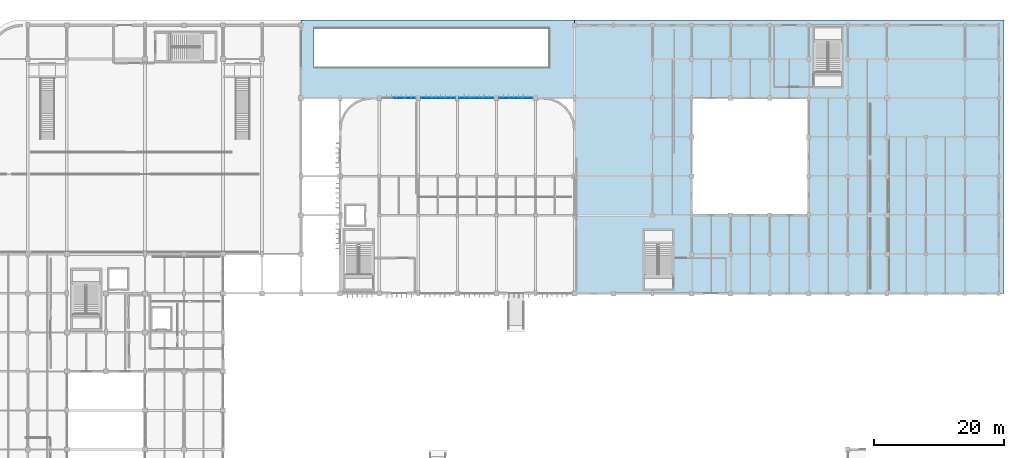
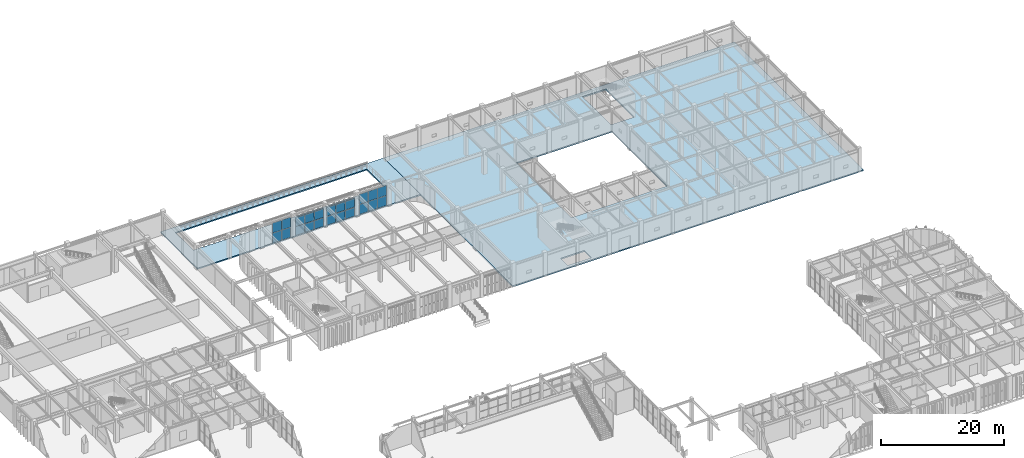
# One storey, part 38 of 76: 22 plates, 2 slabs, 4 elements without a shape of their own.
"""IFC4 building model written with IfcOpenShell, lengths in metres."""

import ifcopenshell
import ifcopenshell.guid

model = None  # the IFC model being written
_history = None  # IfcOwnerHistory: only IFC2X3 demands one
_inside = {}  # id of a spatial element -> (the spatial element, [elements in it])
_under = {}  # id of a project, library or spatial element -> (it, [spatial elements below it])
_declared = {}  # id of a project -> (the project, [libraries it declares])
_typed = {}  # id of a type object -> (the type object, [elements of that type])
_made_of = {}  # id of a material, layer set ... -> (it, [elements and type objects made of it])


def new_model(schema):
    """Start an empty IFC model of exactly this schema.

    Asked for "IFC4X3", IfcOpenShell would pick the latest addendum, in which some entities
    have other attributes; the version numbers below select the first issue.
    IFC2X3 requires an IfcOwnerHistory on every rooted entity: one is made here for all.
    """
    global model, _history
    if schema == "IFC4X3":
        model = ifcopenshell.file(schema_version=(4, 3, 0, 0))
    else:
        model = ifcopenshell.file(schema=schema)
    _inside.clear()
    _under.clear()
    _declared.clear()
    _typed.clear()
    _made_of.clear()
    _history = None
    if model.schema == "IFC2X3":
        org = make("IfcOrganization", Name="unknown")
        user = make(
            "IfcPersonAndOrganization",
            ThePerson=make("IfcPerson", FamilyName="unknown"),
            TheOrganization=org,
        )
        app = make(
            "IfcApplication",
            ApplicationDeveloper=org,
            Version="unknown",
            ApplicationFullName="unknown",
            ApplicationIdentifier="unknown",
        )
        _history = make(
            "IfcOwnerHistory",
            OwningUser=user,
            OwningApplication=app,
            ChangeAction="ADDED",
            CreationDate=0,
        )
    return model


def make(cls, **values):
    """One entity of the class cls with the attributes given. An attribute that is None is left unset."""
    return model.create_entity(
        cls, **{name: value for name, value in values.items() if value is not None}
    )


def rooted(cls, **values):
    """An entity with a GlobalId (a new one), such as an element, a storey or a relation."""
    return make(cls, GlobalId=ifcopenshell.guid.new(), OwnerHistory=_history, **values)


def si_unit(unit_type, name, prefix=None):
    """IfcSIUnit, for example si_unit("LENGTHUNIT", "METRE", prefix="MILLI")."""
    return make("IfcSIUnit", UnitType=unit_type, Prefix=prefix, Name=name)


def assignment(units):
    """IfcUnitAssignment: the units of a project."""
    return None if units is None else make("IfcUnitAssignment", Units=units)


def point(xyz):
    """IfcCartesianPoint."""
    return None if xyz is None else make("IfcCartesianPoint", Coordinates=xyz)


def direction(xyz):
    """IfcDirection."""
    return None if xyz is None else make("IfcDirection", DirectionRatios=xyz)


def frame(location, z_axis=None, x_axis=None):
    """IfcAxis2Placement3D, a coordinate frame: its origin and axes. An axis left out is left unset."""
    return make(
        "IfcAxis2Placement3D",
        Location=point(location),
        Axis=direction(z_axis),
        RefDirection=direction(x_axis),
    )


def frame_2d(location, x_axis=None):
    """IfcAxis2Placement2D, a coordinate frame in the plane: its origin and x axis."""
    return make(
        "IfcAxis2Placement2D", Location=point(location), RefDirection=direction(x_axis)
    )


def origin():
    """The frame at (0, 0, 0) with its axes left unset."""
    return frame((0.0, 0.0, 0.0))


def origin_2d():
    """The frame at (0, 0) in the plane with its x axis left unset."""
    return frame_2d((0.0, 0.0))


def place(relative_to, where):
    """IfcLocalPlacement: puts the frame where relative to a parent placement (None: the world)."""
    return make(
        "IfcLocalPlacement", PlacementRelTo=relative_to, RelativePlacement=where
    )


def context(
    kind, dimensions, precision=None, world=None, true_north=None, identifier=None
):
    """IfcGeometricRepresentationContext, for example the 3D "Model" context."""
    return make(
        "IfcGeometricRepresentationContext",
        ContextIdentifier=identifier,
        ContextType=kind,
        CoordinateSpaceDimension=dimensions,
        Precision=precision,
        WorldCoordinateSystem=world,
        TrueNorth=true_north,
    )


def subcontext(parent, identifier, kind, view, scale=None):
    """IfcGeometricRepresentationSubContext, for example "Body" below "Model"."""
    return make(
        "IfcGeometricRepresentationSubContext",
        ContextIdentifier=identifier,
        ContextType=kind,
        ParentContext=parent,
        TargetScale=scale,
        TargetView=view,
    )


def project(units=None, contexts=None):
    """IfcProject with its units and contexts."""
    return rooted(
        "IfcProject",
        Name="project",
        RepresentationContexts=contexts,
        UnitsInContext=assignment(units),
    )


def spatial(cls, under=None, at=None, **own):
    """A site, building, storey or space (cls), placed at a placement, below another one or the project."""
    s = rooted(cls, ObjectPlacement=at, **own)
    if under is not None:
        _under.setdefault(under.id(), (under, []))[1].append(s)
    return s


def polyline(points):
    """IfcPolyline through the points."""
    return make("IfcPolyline", Points=[point(p) for p in points])


def profile(cls, at=None, kind="AREA", **sizes):
    """A parametric profile (cls). Its sizes go by their IFC names, for example OverallWidth=200.0."""
    return make(cls, ProfileType=kind, Position=at, **sizes)


def rectangle(**sizes):
    """IfcRectangleProfileDef."""
    return profile("IfcRectangleProfileDef", **sizes)


def outline(outer, holes=None, kind="AREA"):
    """IfcArbitraryClosedProfileDef: a profile drawn as a closed curve; with holes, ...WithVoids."""
    if holes is None:
        return make("IfcArbitraryClosedProfileDef", ProfileType=kind, OuterCurve=outer)
    return make(
        "IfcArbitraryProfileDefWithVoids",
        ProfileType=kind,
        OuterCurve=outer,
        InnerCurves=holes,
    )


def extrude(swept, where, along, depth):
    """IfcExtrudedAreaSolid: the profile swept, set in the frame where, extruded along a direction by depth."""
    return make(
        "IfcExtrudedAreaSolid",
        SweptArea=swept,
        Position=where,
        ExtrudedDirection=direction(along),
        Depth=depth,
    )


def shape(context_of_items, identifier, shape_type, items):
    """IfcShapeRepresentation: the items that make up one representation, for example the "Body"."""
    return make(
        "IfcShapeRepresentation",
        ContextOfItems=context_of_items,
        RepresentationIdentifier=identifier,
        RepresentationType=shape_type,
        Items=items,
    )


def material(Name=None, Category=None):
    """IfcMaterial."""
    return make("IfcMaterial", Name=Name, Category=Category)


def layer(
    of_material, thickness, ventilated=None, Name=None, Category=None, Priority=None
):
    """IfcMaterialLayer: one layer of a wall or slab, of a material (None: an air gap)."""
    return make(
        "IfcMaterialLayer",
        Material=of_material,
        LayerThickness=thickness,
        IsVentilated=ventilated,
        Name=Name,
        Category=Category,
        Priority=Priority,
    )


def layer_set(layers, Name=None):
    """IfcMaterialLayerSet."""
    return make("IfcMaterialLayerSet", MaterialLayers=layers, LayerSetName=Name)


def made_of(thing, what):
    """Note that an element or type object is made of a material, layer set ...; save() writes the relation."""
    if what is not None:
        _made_of.setdefault(what.id(), (what, []))[1].append(thing)
    return thing


def type_object(cls, material=None, **own):
    """A type object (cls), such as IfcWallType, which elements share."""
    return made_of(rooted(cls, **own), material)


def element(
    cls,
    number,
    at=None,
    inside=None,
    cuts=None,
    type_object=None,
    material=None,
    context=None,
    identifier="Body",
    shape_type=None,
    held_by="IfcProductDefinitionShape",
    body=None,
    shapes=None,
    **own,
):
    """One element of the class cls, such as IfcWall. Its Tag is "e" and its number.

    at: its placement. inside: the storey or other place that contains it. cuts: it is an
    opening in that element (IfcRelVoidsElement). A single representation is given by context,
    identifier, shape_type and body (its items); several are given by shapes. held_by: the class
    of the entity that holds the representations. save() writes the other relations.
    """
    e = rooted(cls, Tag="e%d" % number, ObjectPlacement=at, **own)
    if body is not None:
        shapes = [shape(context, identifier, shape_type, body)]
    if shapes is not None:
        e.Representation = make(held_by, Representations=shapes)
    if inside is not None:
        _inside.setdefault(inside.id(), (inside, []))[1].append(e)
    if cuts is not None:
        rooted(
            "IfcRelVoidsElement", RelatingBuildingElement=cuts, RelatedOpeningElement=e
        )
    if type_object is not None:
        _typed.setdefault(type_object.id(), (type_object, []))[1].append(e)
    return made_of(e, material)


def aggregate(whole, parts):
    """IfcRelAggregates: a whole, such as a stair, and the parts it consists of."""
    return rooted("IfcRelAggregates", RelatingObject=whole, RelatedObjects=parts)


def save(model, path):
    """Write the relations noted so far, then the file.

    IfcRelAggregates (storeys below a building ...), IfcRelContainedInSpatialStructure (elements
    in a storey), IfcRelDefinesByType, IfcRelAssociatesMaterial and IfcRelDeclares: one each for
    every whole, place, type object, material and project.
    """
    for whole, parts in _under.values():
        aggregate(whole, parts)
    for where, things in _inside.values():
        rooted(
            "IfcRelContainedInSpatialStructure",
            RelatedElements=things,
            RelatingStructure=where,
        )
    for kind, things in _typed.values():
        rooted("IfcRelDefinesByType", RelatedObjects=things, RelatingType=kind)
    for what, things in _made_of.values():
        rooted("IfcRelAssociatesMaterial", RelatedObjects=things, RelatingMaterial=what)
    for by, libraries in _declared.values():
        rooted("IfcRelDeclares", RelatingContext=by, RelatedDefinitions=libraries)
    model.write(path)


model = new_model("IFC4")

# Units and contexts
model_context = context("Model", 3, precision=1e-05, world=origin(), true_north=direction((0.0, 1.0)))
body_context = subcontext(model_context, "Body", "Model", "MODEL_VIEW")
ifc_project = project(units=[si_unit("LENGTHUNIT", "METRE"), si_unit("AREAUNIT", "SQUARE_METRE"), si_unit("VOLUMEUNIT", "CUBIC_METRE"), si_unit("PLANEANGLEUNIT", "RADIAN"), si_unit("MASSUNIT", "GRAM", prefix="KILO")], contexts=[model_context])

# Site, building, storey
site_placement = place(None, origin())
site = spatial("IfcSite", under=ifc_project, at=site_placement, CompositionType="ELEMENT")
building_placement = place(site_placement, origin())
building = spatial("IfcBuilding", under=site, at=building_placement, Name="Varnakota Square Police Headquarters", CompositionType="ELEMENT")
storey_placement = place(building_placement, origin())
storey = spatial("IfcBuildingStorey", under=building, at=storey_placement, Name="L00", CompositionType="ELEMENT", Elevation=0.0)

# Curtain wall, plates
ifc_material_1 = material(Name="Anodised Aluminium Framing", Category="aluminium")
curtain_wall_type = type_object("IfcCurtainWallType", Name="CW-SYS-C", PredefinedType="NOTDEFINED", material=ifc_material_1)
curtain_wall_1_placement = place(storey_placement, origin())
curtain_wall_1 = element("IfcCurtainWall", 1, at=curtain_wall_1_placement, inside=storey, type_object=curtain_wall_type, Name="Unitised curtain wall CWG-L00-223", PredefinedType="NOTDEFINED")
ifc_material_2 = material(Name="Solar-Control Laminated Double Glazing", Category="glass")
ifc_layer_1 = layer(ifc_material_2, 0.028076171875, Name="Solar-Control Laminated Double Glazing")
ifc_layer_set_1 = layer_set([ifc_layer_1], Name="Solar-Control Laminated Double Glazing")
plate_type_1 = type_object("IfcPlateType", Name="CWP-GLZ-28", PredefinedType="CURTAIN_PANEL", material=ifc_layer_set_1)
plate_1_placement = place(storey_placement, frame((69.0, 99.0, 0.074951171875), z_axis=(0.0, 0.0, 1.0), x_axis=(1.0, 0.0, 0.0)))
plate_1 = element("IfcPlate", 2, at=plate_1_placement, type_object=plate_type_1, Name="CWG-L00-223 panel 2.1", PredefinedType="CURTAIN_PANEL", context=body_context, shape_type="SweptSolid", body=[
    extrude(rectangle(XDim=1.671630859375, YDim=0.028076171875, at=origin_2d()), origin(), (0.0, 0.0, 1.0), 1.95751953125),
])
plate_2_placement = place(storey_placement, frame((70.72802734375, 99.0, 0.074951171875), z_axis=(0.0, 0.0, 1.0), x_axis=(1.0, 0.0, 0.0)))
plate_2 = element("IfcPlate", 3, at=plate_2_placement, type_object=plate_type_1, Name="CWG-L00-223 panel 3.1", PredefinedType="CURTAIN_PANEL", context=body_context, shape_type="SweptSolid", body=[
    extrude(rectangle(XDim=1.63427734375, YDim=0.028076171875, at=origin_2d()), origin(), (0.0, 0.0, 1.0), 1.95751953125),
])

curtain_wall_2_placement = place(storey_placement, origin())
curtain_wall_2 = element("IfcCurtainWall", 4, at=curtain_wall_2_placement, inside=storey, type_object=curtain_wall_type, Name="Unitised curtain wall CWG-L00-224", PredefinedType="NOTDEFINED")
ifc_material_3 = material(Name="Acoustic Laminated Double Glazing", Category="glass")
ifc_layer_2 = layer(ifc_material_3, 0.031982421875, Name="Acoustic Laminated Double Glazing")
ifc_layer_set_2 = layer_set([ifc_layer_2], Name="Acoustic Laminated Double Glazing")
plate_type_2 = type_object("IfcPlateType", Name="CWP-GLZ-32", PredefinedType="CURTAIN_PANEL", material=ifc_layer_set_2)
plate_3_placement = place(storey_placement, frame((73.29052734375, 99.0, 0.06494140625), z_axis=(0.0, 0.0, 1.0), x_axis=(1.0, 0.0, 0.0)))
plate_3 = element("IfcPlate", 5, at=plate_3_placement, type_object=plate_type_2, Name="CWG-L00-224 panel 1.1", PredefinedType="CURTAIN_PANEL", context=body_context, shape_type="SweptSolid", body=[
    extrude(rectangle(XDim=1.69091796875, YDim=0.031982421875, at=origin_2d()), origin(), (0.0, 0.0, 1.0), 1.74755859375),
])
plate_4_placement = place(storey_placement, frame((75.0625, 99.0, 0.06494140625), z_axis=(0.0, 0.0, 1.0), x_axis=(1.0, 0.0, 0.0)))
plate_4 = element("IfcPlate", 6, at=plate_4_placement, type_object=plate_type_2, Name="CWG-L00-224 panel 2.1", PredefinedType="CURTAIN_PANEL", context=body_context, shape_type="SweptSolid", body=[
    extrude(rectangle(XDim=1.723388671875, YDim=0.031982421875, at=origin_2d()), origin(), (0.0, 0.0, 1.0), 1.74755859375),
])
plate_5_placement = place(storey_placement, frame((76.83447265625, 99.0, 0.06494140625), z_axis=(0.0, 0.0, 1.0), x_axis=(1.0, 0.0, 0.0)))
plate_5 = element("IfcPlate", 7, at=plate_5_placement, type_object=plate_type_2, Name="CWG-L00-224 panel 3.1", PredefinedType="CURTAIN_PANEL", context=body_context, shape_type="SweptSolid", body=[
    extrude(rectangle(XDim=1.69091796875, YDim=0.031982421875, at=origin_2d()), origin(), (0.0, 0.0, 1.0), 1.74755859375),
])

curtain_wall_3_placement = place(storey_placement, origin())
curtain_wall_3 = element("IfcCurtainWall", 8, at=curtain_wall_3_placement, inside=storey, type_object=curtain_wall_type, Name="Unitised curtain wall CWG-L00-225", PredefinedType="NOTDEFINED")
ifc_material_4 = material(Name="Blast-Resistant Laminated Glazing", Category="glass")
ifc_layer_3 = layer(ifc_material_4, 0.035888671875, Name="Blast-Resistant Laminated Glazing")
ifc_layer_set_3 = layer_set([ifc_layer_3], Name="Blast-Resistant Laminated Glazing")
plate_type_3 = type_object("IfcPlateType", Name="CWP-GLZ-36", PredefinedType="CURTAIN_PANEL", material=ifc_layer_set_3)
plate_6_placement = place(storey_placement, frame((79.16552734375, 99.0, 0.06494140625), z_axis=(0.0, 0.0, 1.0), x_axis=(1.0, 0.0, 0.0)))
plate_6 = element("IfcPlate", 9, at=plate_6_placement, type_object=plate_type_3, Name="CWG-L00-225 panel 1.1", PredefinedType="CURTAIN_PANEL", context=body_context, shape_type="SweptSolid", body=[
    extrude(rectangle(XDim=1.69091796875, YDim=0.035888671875, at=origin_2d()), origin(), (0.0, 0.0, 1.0), 1.74755859375),
])
plate_7_placement = place(storey_placement, frame((80.9375, 99.0, 0.06494140625), z_axis=(0.0, 0.0, 1.0), x_axis=(1.0, 0.0, 0.0)))
plate_7 = element("IfcPlate", 10, at=plate_7_placement, type_object=plate_type_3, Name="CWG-L00-225 panel 2.1", PredefinedType="CURTAIN_PANEL", context=body_context, shape_type="SweptSolid", body=[
    extrude(rectangle(XDim=1.723388671875, YDim=0.035888671875, at=origin_2d()), origin(), (0.0, 0.0, 1.0), 1.74755859375),
])
plate_8_placement = place(storey_placement, frame((82.70947265625, 99.0, 0.06494140625), z_axis=(0.0, 0.0, 1.0), x_axis=(1.0, 0.0, 0.0)))
plate_8 = element("IfcPlate", 11, at=plate_8_placement, type_object=plate_type_3, Name="CWG-L00-225 panel 3.1", PredefinedType="CURTAIN_PANEL", context=body_context, shape_type="SweptSolid", body=[
    extrude(rectangle(XDim=1.69091796875, YDim=0.035888671875, at=origin_2d()), origin(), (0.0, 0.0, 1.0), 1.74755859375),
])

curtain_wall_4_placement = place(storey_placement, origin())
curtain_wall_4 = element("IfcCurtainWall", 12, at=curtain_wall_4_placement, inside=storey, type_object=curtain_wall_type, Name="Unitised curtain wall CWG-L00-226", PredefinedType="NOTDEFINED")
ifc_material_5 = material(Name="Triple-Glazed Clean-Lab Vision Unit", Category="aluminium")
ifc_layer_4 = layer(ifc_material_5, 0.0419921875, Name="Triple-Glazed Clean-Lab Vision Unit")
ifc_layer_set_4 = layer_set([ifc_layer_4], Name="Triple-Glazed Clean-Lab Vision Unit")
plate_type_4 = type_object("IfcPlateType", Name="CWP-GLZ-42", PredefinedType="CURTAIN_PANEL", material=ifc_layer_set_4)
plate_9_placement = place(storey_placement, frame((85.27197265625, 99.0, 0.074951171875), z_axis=(0.0, 0.0, 1.0), x_axis=(1.0, 0.0, 0.0)))
plate_9 = element("IfcPlate", 13, at=plate_9_placement, type_object=plate_type_4, Name="CWG-L00-226 panel 1.1", PredefinedType="CURTAIN_PANEL", context=body_context, shape_type="SweptSolid", body=[
    extrude(rectangle(XDim=1.63427734375, YDim=0.0419921875, at=origin_2d()), origin(), (0.0, 0.0, 1.0), 1.95751953125),
])
plate_10_placement = place(storey_placement, frame((87.0, 99.0, 0.074951171875), z_axis=(0.0, 0.0, 1.0), x_axis=(1.0, 0.0, 0.0)))
plate_10 = element("IfcPlate", 14, at=plate_10_placement, type_object=plate_type_4, Name="CWG-L00-226 panel 2.1", PredefinedType="CURTAIN_PANEL", context=body_context, shape_type="SweptSolid", body=[
    extrude(rectangle(XDim=1.671630859375, YDim=0.0419921875, at=origin_2d()), origin(), (0.0, 0.0, 1.0), 1.95751953125),
])
plate_11_placement = place(storey_placement, frame((88.72802734375, 99.0, 0.074951171875), z_axis=(0.0, 0.0, 1.0), x_axis=(1.0, 0.0, 0.0)))
plate_11 = element("IfcPlate", 15, at=plate_11_placement, type_object=plate_type_4, Name="CWG-L00-226 panel 3.1", PredefinedType="CURTAIN_PANEL", context=body_context, shape_type="SweptSolid", body=[
    extrude(rectangle(XDim=1.63427734375, YDim=0.0419921875, at=origin_2d()), origin(), (0.0, 0.0, 1.0), 1.95751953125),
])

# Plate
ifc_material_6 = material(Name="Insulated Anodised Aluminium Spandrel Panel", Category="aluminium")
ifc_layer_5 = layer(ifc_material_6, 0.050048828125, Name="Insulated Anodised Aluminium Spandrel Panel")
ifc_layer_set_5 = layer_set([ifc_layer_5], Name="Insulated Anodised Aluminium Spandrel Panel")
plate_type_5 = type_object("IfcPlateType", Name="CWP-SPN-50", PredefinedType="CURTAIN_PANEL", material=ifc_layer_set_5)
plate_12_placement = place(storey_placement, frame((69.0, 99.0, 2.107421875), z_axis=(0.0, 0.0, 1.0), x_axis=(1.0, 0.0, 0.0)))
plate_12 = element("IfcPlate", 16, at=plate_12_placement, type_object=plate_type_5, Name="CWG-L00-223 panel 2.2", PredefinedType="CURTAIN_PANEL", context=body_context, shape_type="SweptSolid", body=[
    extrude(rectangle(XDim=1.671630859375, YDim=0.050048828125, at=origin_2d()), origin(), (0.0, 0.0, 1.0), 1.95751953125),
])

plate_13_placement = place(storey_placement, frame((70.72802734375, 99.0, 2.107421875), z_axis=(0.0, 0.0, 1.0), x_axis=(1.0, 0.0, 0.0)))
plate_13 = element("IfcPlate", 17, at=plate_13_placement, type_object=plate_type_5, Name="CWG-L00-223 panel 3.2", PredefinedType="CURTAIN_PANEL", context=body_context, shape_type="SweptSolid", body=[
    extrude(rectangle(XDim=1.63427734375, YDim=0.050048828125, at=origin_2d()), origin(), (0.0, 0.0, 1.0), 1.95751953125),
])

aggregate(curtain_wall_1, [plate_1, plate_12, plate_2, plate_13])

plate_14_placement = place(storey_placement, frame((79.16552734375, 99.0, 1.87744140625), z_axis=(0.0, 0.0, 1.0), x_axis=(1.0, 0.0, 0.0)))
plate_14 = element("IfcPlate", 18, at=plate_14_placement, type_object=plate_type_5, Name="CWG-L00-225 panel 1.2", PredefinedType="CURTAIN_PANEL", context=body_context, shape_type="SweptSolid", body=[
    extrude(rectangle(XDim=1.69091796875, YDim=0.050048828125, at=origin_2d()), origin(), (0.0, 0.0, 1.0), 1.74755859375),
])

plate_15_placement = place(storey_placement, frame((80.9375, 99.0, 1.87744140625), z_axis=(0.0, 0.0, 1.0), x_axis=(1.0, 0.0, 0.0)))
plate_15 = element("IfcPlate", 19, at=plate_15_placement, type_object=plate_type_5, Name="CWG-L00-225 panel 2.2", PredefinedType="CURTAIN_PANEL", context=body_context, shape_type="SweptSolid", body=[
    extrude(rectangle(XDim=1.723388671875, YDim=0.050048828125, at=origin_2d()), origin(), (0.0, 0.0, 1.0), 1.74755859375),
])

plate_16_placement = place(storey_placement, frame((82.70947265625, 99.0, 1.87744140625), z_axis=(0.0, 0.0, 1.0), x_axis=(1.0, 0.0, 0.0)))
plate_16 = element("IfcPlate", 20, at=plate_16_placement, type_object=plate_type_5, Name="CWG-L00-225 panel 3.2", PredefinedType="CURTAIN_PANEL", context=body_context, shape_type="SweptSolid", body=[
    extrude(rectangle(XDim=1.69091796875, YDim=0.050048828125, at=origin_2d()), origin(), (0.0, 0.0, 1.0), 1.74755859375),
])

aggregate(curtain_wall_3, [plate_6, plate_14, plate_7, plate_15, plate_8, plate_16])

ifc_material_7 = material(Name="Fire-Stopped Mineral-Wool Spandrel Panel", Category="aluminium")
ifc_layer_6 = layer(ifc_material_7, 0.06005859375, Name="Fire-Stopped Mineral-Wool Spandrel Panel")
ifc_layer_set_6 = layer_set([ifc_layer_6], Name="Fire-Stopped Mineral-Wool Spandrel Panel")
plate_type_6 = type_object("IfcPlateType", Name="CWP-SPN-60", PredefinedType="CURTAIN_PANEL", material=ifc_layer_set_6)
plate_17_placement = place(storey_placement, frame((73.29052734375, 99.0, 1.87744140625), z_axis=(0.0, 0.0, 1.0), x_axis=(1.0, 0.0, 0.0)))
plate_17 = element("IfcPlate", 21, at=plate_17_placement, type_object=plate_type_6, Name="CWG-L00-224 panel 1.2", PredefinedType="CURTAIN_PANEL", context=body_context, shape_type="SweptSolid", body=[
    extrude(rectangle(XDim=1.69091796875, YDim=0.06005859375, at=origin_2d()), origin(), (0.0, 0.0, 1.0), 1.74755859375),
])

plate_18_placement = place(storey_placement, frame((75.0625, 99.0, 1.87744140625), z_axis=(0.0, 0.0, 1.0), x_axis=(1.0, 0.0, 0.0)))
plate_18 = element("IfcPlate", 22, at=plate_18_placement, type_object=plate_type_6, Name="CWG-L00-224 panel 2.2", PredefinedType="CURTAIN_PANEL", context=body_context, shape_type="SweptSolid", body=[
    extrude(rectangle(XDim=1.723388671875, YDim=0.06005859375, at=origin_2d()), origin(), (0.0, 0.0, 1.0), 1.74755859375),
])

plate_19_placement = place(storey_placement, frame((76.83447265625, 99.0, 1.87744140625), z_axis=(0.0, 0.0, 1.0), x_axis=(1.0, 0.0, 0.0)))
plate_19 = element("IfcPlate", 23, at=plate_19_placement, type_object=plate_type_6, Name="CWG-L00-224 panel 3.2", PredefinedType="CURTAIN_PANEL", context=body_context, shape_type="SweptSolid", body=[
    extrude(rectangle(XDim=1.69091796875, YDim=0.06005859375, at=origin_2d()), origin(), (0.0, 0.0, 1.0), 1.74755859375),
])

aggregate(curtain_wall_2, [plate_3, plate_17, plate_4, plate_18, plate_5, plate_19])

plate_20_placement = place(storey_placement, frame((85.27197265625, 99.0, 2.107421875), z_axis=(0.0, 0.0, 1.0), x_axis=(1.0, 0.0, 0.0)))
plate_20 = element("IfcPlate", 24, at=plate_20_placement, type_object=plate_type_6, Name="CWG-L00-226 panel 1.2", PredefinedType="CURTAIN_PANEL", context=body_context, shape_type="SweptSolid", body=[
    extrude(rectangle(XDim=1.63427734375, YDim=0.06005859375, at=origin_2d()), origin(), (0.0, 0.0, 1.0), 1.95751953125),
])

plate_21_placement = place(storey_placement, frame((87.0, 99.0, 2.107421875), z_axis=(0.0, 0.0, 1.0), x_axis=(1.0, 0.0, 0.0)))
plate_21 = element("IfcPlate", 25, at=plate_21_placement, type_object=plate_type_6, Name="CWG-L00-226 panel 2.2", PredefinedType="CURTAIN_PANEL", context=body_context, shape_type="SweptSolid", body=[
    extrude(rectangle(XDim=1.671630859375, YDim=0.06005859375, at=origin_2d()), origin(), (0.0, 0.0, 1.0), 1.95751953125),
])

plate_22_placement = place(storey_placement, frame((88.72802734375, 99.0, 2.107421875), z_axis=(0.0, 0.0, 1.0), x_axis=(1.0, 0.0, 0.0)))
plate_22 = element("IfcPlate", 26, at=plate_22_placement, type_object=plate_type_6, Name="CWG-L00-226 panel 3.2", PredefinedType="CURTAIN_PANEL", context=body_context, shape_type="SweptSolid", body=[
    extrude(rectangle(XDim=1.63427734375, YDim=0.06005859375, at=origin_2d()), origin(), (0.0, 0.0, 1.0), 1.95751953125),
])

aggregate(curtain_wall_4, [plate_9, plate_20, plate_10, plate_21, plate_11, plate_22])

# Slabs
ifc_material_8 = material(Name="Concrete M40", Category="concrete")
ifc_layer_7 = layer(ifc_material_8, 0.239990234375, Name="Concrete M40")
ifc_layer_set_7 = layer_set([ifc_layer_7], Name="Concrete M40")
slab_type_1 = type_object("IfcSlabType", Name="SL-ARC-240", PredefinedType="FLOOR", material=ifc_layer_set_7)
slab_1_placement = place(storey_placement, frame((0.0, 0.0, -0.239990234375)))
element("IfcSlab", 27, at=slab_1_placement, inside=storey, type_object=slab_type_1, Name="L00 North Service Deck around Ramp Void", PredefinedType="FLOOR", context=body_context, shape_type="SweptSolid", body=[
    extrude(outline(polyline([(54.0, 99.0), (96.0, 99.0), (96.0, 111.0), (54.0, 111.0), (54.0, 99.0)]), holes=[polyline([(56.0, 103.800048828125), (92.0, 103.800048828125), (92.0, 109.60009765625), (56.0, 109.60009765625), (56.0, 103.800048828125)])]), origin(), (0.0, 0.0, 1.0), 0.239990234375),
])
ifc_layer_8 = layer(ifc_material_8, 0.25, Name="Concrete M40")
ifc_layer_set_8 = layer_set([ifc_layer_8], Name="Concrete M40")
slab_type_2 = type_object("IfcSlabType", Name="SL-POD-250", PredefinedType="FLOOR", material=ifc_layer_set_8)
slab_2_placement = place(storey_placement, frame((0.0, 0.0, -0.25)))
element("IfcSlab", 28, at=slab_2_placement, inside=storey, type_object=slab_type_2, Name="L00 Custody and Sallyport Slab", PredefinedType="FLOOR", context=body_context, shape_type="SweptSolid", body=[
    extrude(outline(polyline([(96.0, 69.0), (162.0, 69.0), (162.0, 111.0), (96.0, 111.0), (96.0, 69.0)]), holes=[polyline([(114.0, 81.0), (132.0, 81.0), (132.0, 99.0), (114.0, 99.0), (114.0, 81.0)]), polyline([(132.7548828125, 100.655029296875), (137.14501953125, 100.655029296875), (137.14501953125, 109.844970703125), (132.7548828125, 109.844970703125), (132.7548828125, 100.655029296875)]), polyline([(106.655029296875, 69.554931640625), (111.14501953125, 69.554931640625), (111.14501953125, 71.85498046875), (106.655029296875, 71.85498046875), (106.655029296875, 69.554931640625)])]), origin(), (0.0, 0.0, 1.0), 0.25),
])

save(model, "model.ifc")
